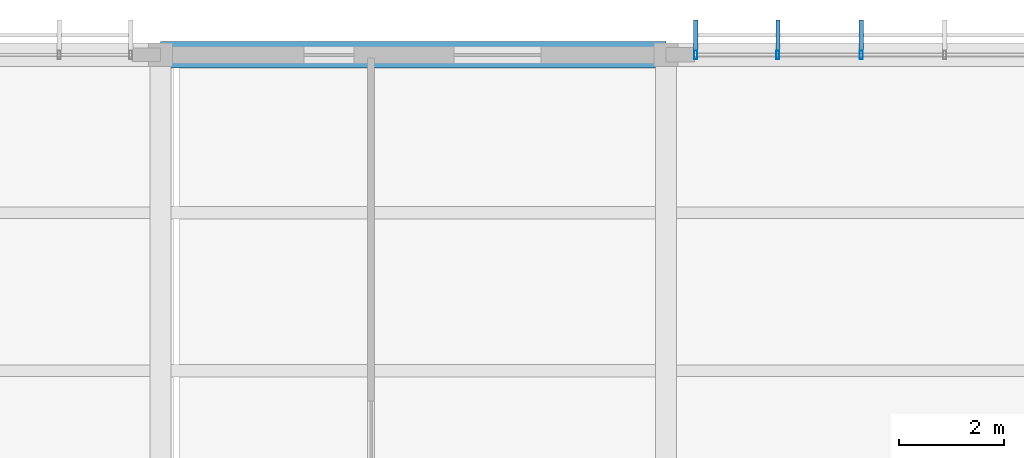
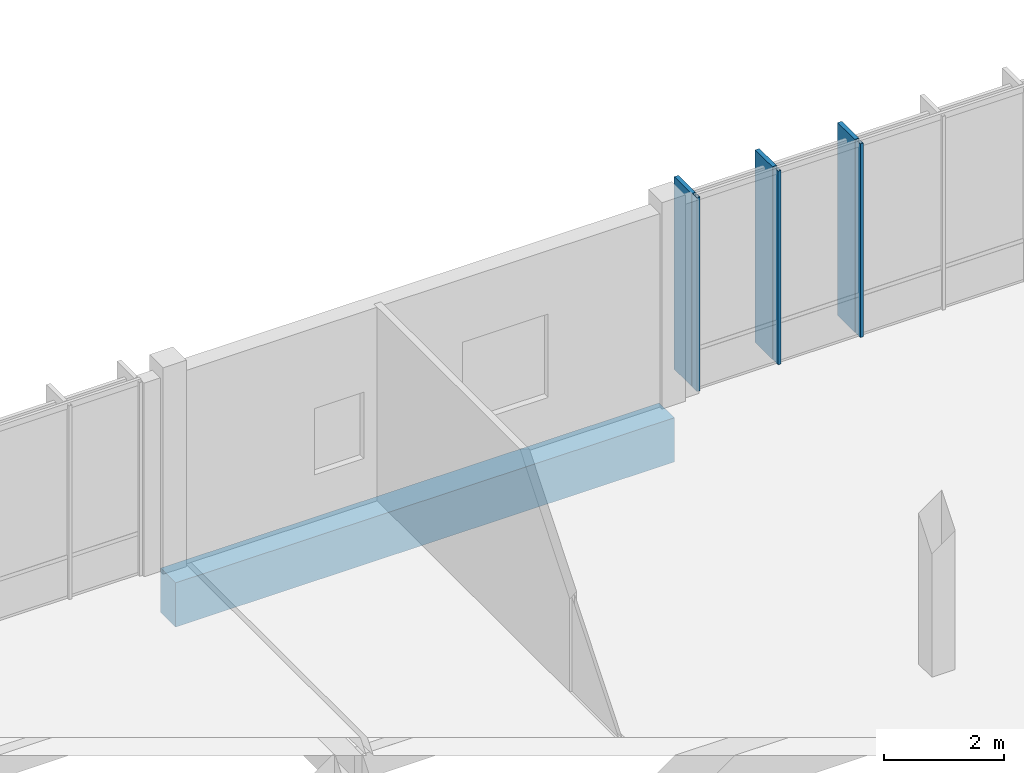
# One storey, part 64 of 94: 6 members, 1 beam, 1 element without a shape of its own.
"""IFC4 building model written with IfcOpenShell, lengths in metres."""

from ifc_helpers import new_model, si_unit, direction, frame, origin, origin_2d, place, context, subcontext, project, spatial, rectangle, hollow_rectangle, extrude, material, material_profile, profile_set, type_object, element, aggregate, save


model = new_model("IFC4")

# Units and contexts
model_context = context("Model", 3, precision=1e-05, world=origin(), true_north=direction((0.0, 1.0)))
body_context = subcontext(model_context, "Body", "Model", "MODEL_VIEW")
ifc_project = project(units=[si_unit("LENGTHUNIT", "METRE"), si_unit("AREAUNIT", "SQUARE_METRE"), si_unit("VOLUMEUNIT", "CUBIC_METRE"), si_unit("PLANEANGLEUNIT", "RADIAN"), si_unit("MASSUNIT", "GRAM", prefix="KILO")], contexts=[model_context])

# Site, building, storey
site_placement = place(None, origin())
site = spatial("IfcSite", under=ifc_project, at=site_placement, CompositionType="ELEMENT")
building_placement = place(site_placement, origin())
building = spatial("IfcBuilding", under=site, at=building_placement, Name="Chiffa Square Polytechnic", CompositionType="ELEMENT")
storey_placement = place(building_placement, frame((0.0, 0.0, 18.0)))
storey = spatial("IfcBuildingStorey", under=building, at=storey_placement, Name="L04", CompositionType="ELEMENT", Elevation=18.0)

# Beam
ifc_material_1 = material(Name="Concrete C40/50", Category="concrete")
ifc_material_profile_1 = material_profile(ifc_material_1, rectangle(XDim=0.5, YDim=0.89990234375, at=origin_2d()), Name="RC 500x900")
ifc_profile_set_1 = profile_set([ifc_material_profile_1], Name="Concrete C40/50")
beam_type = type_object("IfcBeamType", Name="BM-RC-500X900", PredefinedType="BEAM", material=ifc_profile_set_1)
beam_placement = place(storey_placement, frame((48.0, 130.800048828125, -0.68994140625), z_axis=(1.0, 0.0, 0.0), x_axis=(0.0, 1.0, 0.0)))
element("IfcBeam", 1, at=beam_placement, inside=storey, type_object=beam_type, Name="Primary floor girder BM-V5-L04-X-0480-1308", PredefinedType="BEAM", context=body_context, shape_type="SweptSolid", body=[
    extrude(rectangle(XDim=0.5, YDim=0.89990234375, at=origin_2d()), origin(), (0.0, 0.0, 1.0), 9.60009765625),
])

# Curtain wall, members
ifc_material_2 = material(Name="Aluminium EN AW-6060 T66 and glulam shading", Category="wood")
curtain_wall_type = type_object("IfcCurtainWallType", Name="CW-VERT-360X380", PredefinedType="USERDEFINED", material=ifc_material_2)
curtain_wall_placement = place(storey_placement, origin())
curtain_wall = element("IfcCurtainWall", 2, at=curtain_wall_placement, inside=storey, type_object=curtain_wall_type, Name="Curtain wall CW-V5-L04-245", ObjectType="CURTAIN WALL", PredefinedType="USERDEFINED")
ifc_material_3 = material(Name="Aluminium EN AW-6060 T66", Category="aluminium")
ifc_material_profile_2 = material_profile(ifc_material_3, hollow_rectangle(XDim=0.06005859375, YDim=0.159912109375, WallThickness=0.00390625, at=origin_2d()), Name="ALU 60x160x4")
ifc_profile_set_2 = profile_set([ifc_material_profile_2], Name="Aluminium EN AW-6060 T66")
member_type_1 = type_object("IfcMemberType", Name="CWM-ALU-65X150", PredefinedType="MULLION", material=ifc_profile_set_2)
member_1_placement = place(storey_placement, frame((61.30810546875, 130.800048828125, 0.0), z_axis=(0.0, 0.0, 1.0), x_axis=(1.0, 0.0, 0.0)))
member_1 = element("IfcMember", 3, at=member_1_placement, type_object=member_type_1, Name="Curtain wall mullion CW-V5-L04-245-M03", PredefinedType="MULLION", context=body_context, shape_type="SweptSolid", body=[
    extrude(hollow_rectangle(XDim=0.06005859375, YDim=0.159912109375, WallThickness=0.00390625, at=origin_2d()), origin(), (0.0, 0.0, 1.0), 3.93994140625),
])
member_2_placement = place(storey_placement, frame((59.72412109375, 130.800048828125, 0.0), z_axis=(0.0, 0.0, 1.0), x_axis=(1.0, 0.0, 0.0)))
member_2 = element("IfcMember", 4, at=member_2_placement, type_object=member_type_1, Name="Curtain wall mullion CW-V5-L04-245-M04", PredefinedType="MULLION", context=body_context, shape_type="SweptSolid", body=[
    extrude(hollow_rectangle(XDim=0.06005859375, YDim=0.159912109375, WallThickness=0.00390625, at=origin_2d()), origin(), (0.0, 0.0, 1.0), 3.93994140625),
])
member_3_placement = place(storey_placement, frame((58.1650390625, 130.800048828125, 0.0), z_axis=(0.0, 0.0, 1.0), x_axis=(1.0, 0.0, 0.0)))
member_3 = element("IfcMember", 5, at=member_3_placement, type_object=member_type_1, Name="Curtain wall mullion CW-V5-L04-245-M05", PredefinedType="MULLION", context=body_context, shape_type="SweptSolid", body=[
    extrude(hollow_rectangle(XDim=0.06005859375, YDim=0.159912109375, WallThickness=0.00390625, at=origin_2d()), origin(), (0.0, 0.0, 1.0), 3.93994140625),
])
ifc_material_4 = material(Name="Glulam GL28h", Category="wood")
ifc_material_profile_3 = material_profile(ifc_material_4, rectangle(XDim=0.080078125, YDim=0.580078125, at=origin_2d()), Name="GL28h 80x580")
ifc_profile_set_3 = profile_set([ifc_material_profile_3], Name="Glulam GL28h")
member_type_2 = type_object("IfcMemberType", Name="CWM-GL-80X580", PredefinedType="MULLION", material=ifc_profile_set_3)
member_4_placement = place(storey_placement, frame((61.30810546875, 131.172119140625, 0.010009765625), z_axis=(0.0, 0.0, 1.0), x_axis=(-1.0, 0.0, 0.0)))
member_4 = element("IfcMember", 6, at=member_4_placement, type_object=member_type_2, Name="Exterior glulam solar fin CW-V5-L04-245-FN03", PredefinedType="MULLION", context=body_context, shape_type="SweptSolid", body=[
    extrude(rectangle(XDim=0.080078125, YDim=0.580078125, at=origin_2d()), origin(), (0.0, 0.0, 1.0), 3.919921875),
])
member_5_placement = place(storey_placement, frame((59.72412109375, 131.172119140625, 0.010009765625), z_axis=(0.0, 0.0, 1.0), x_axis=(-1.0, 0.0, 0.0)))
member_5 = element("IfcMember", 7, at=member_5_placement, type_object=member_type_2, Name="Exterior glulam solar fin CW-V5-L04-245-FN04", PredefinedType="MULLION", context=body_context, shape_type="SweptSolid", body=[
    extrude(rectangle(XDim=0.080078125, YDim=0.580078125, at=origin_2d()), origin(), (0.0, 0.0, 1.0), 3.919921875),
])
member_6_placement = place(storey_placement, frame((58.1650390625, 131.172119140625, 0.010009765625), z_axis=(0.0, 0.0, 1.0), x_axis=(-1.0, 0.0, 0.0)))
member_6 = element("IfcMember", 8, at=member_6_placement, type_object=member_type_2, Name="Exterior glulam solar fin CW-V5-L04-245-FN05", PredefinedType="MULLION", context=body_context, shape_type="SweptSolid", body=[
    extrude(rectangle(XDim=0.080078125, YDim=0.580078125, at=origin_2d()), origin(), (0.0, 0.0, 1.0), 3.919921875),
])
aggregate(curtain_wall, [member_1, member_4, member_2, member_5, member_3, member_6])

save(model, "model.ifc")
